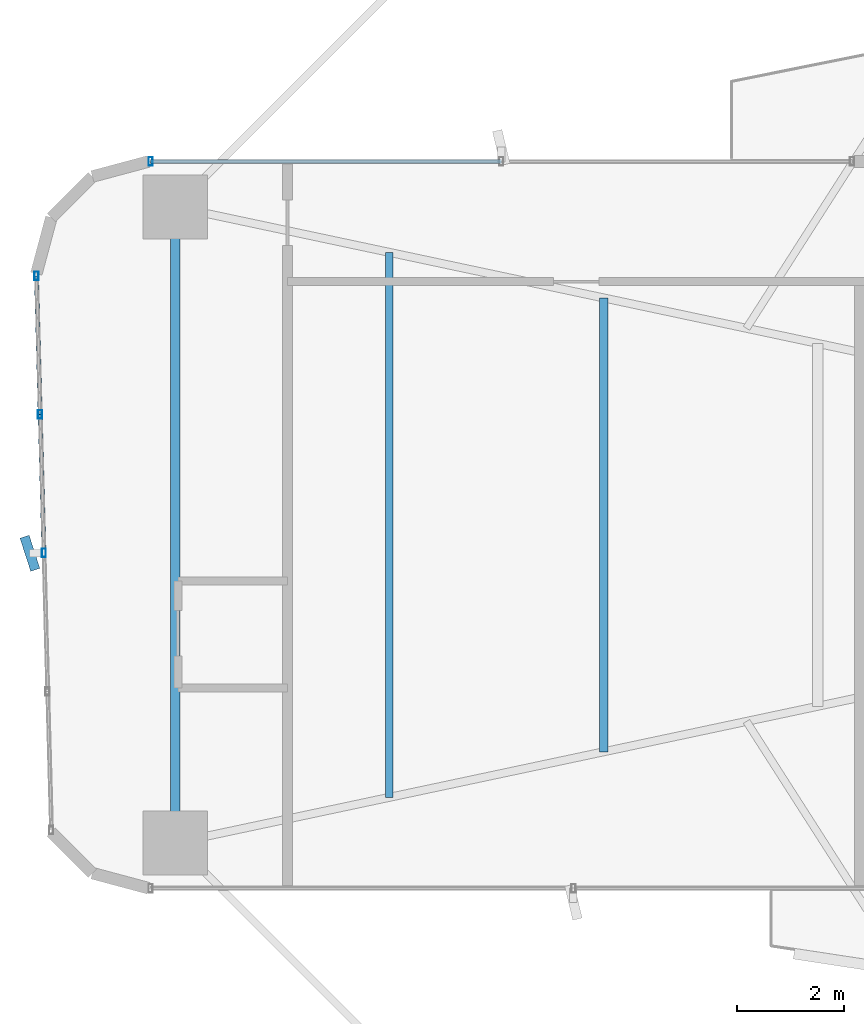
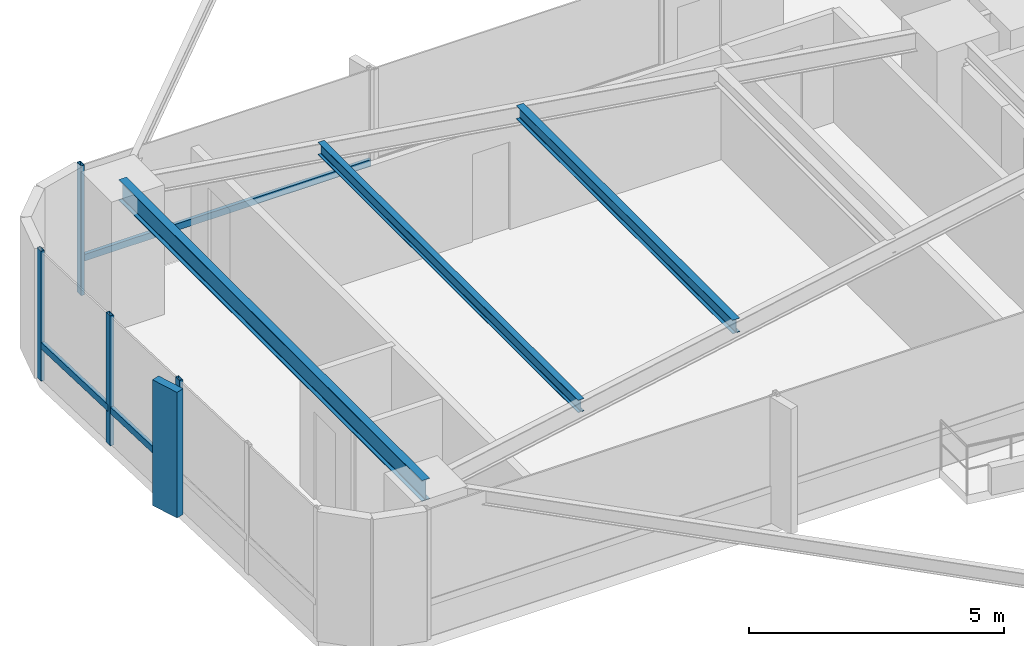
# One storey, part 8 of 25: 8 members, 3 beams, 2 elements without a shape of their own.
"""IFC4 building model written with IfcOpenShell, lengths in metres."""

import ifcopenshell
import ifcopenshell.guid

model = None  # the IFC model being written
_history = None  # IfcOwnerHistory: only IFC2X3 demands one
_inside = {}  # id of a spatial element -> (the spatial element, [elements in it])
_under = {}  # id of a project, library or spatial element -> (it, [spatial elements below it])
_declared = {}  # id of a project -> (the project, [libraries it declares])
_typed = {}  # id of a type object -> (the type object, [elements of that type])
_made_of = {}  # id of a material, layer set ... -> (it, [elements and type objects made of it])


def new_model(schema):
    """Start an empty IFC model of exactly this schema.

    Asked for "IFC4X3", IfcOpenShell would pick the latest addendum, in which some entities
    have other attributes; the version numbers below select the first issue.
    IFC2X3 requires an IfcOwnerHistory on every rooted entity: one is made here for all.
    """
    global model, _history
    if schema == "IFC4X3":
        model = ifcopenshell.file(schema_version=(4, 3, 0, 0))
    else:
        model = ifcopenshell.file(schema=schema)
    _inside.clear()
    _under.clear()
    _declared.clear()
    _typed.clear()
    _made_of.clear()
    _history = None
    if model.schema == "IFC2X3":
        org = make("IfcOrganization", Name="unknown")
        user = make(
            "IfcPersonAndOrganization",
            ThePerson=make("IfcPerson", FamilyName="unknown"),
            TheOrganization=org,
        )
        app = make(
            "IfcApplication",
            ApplicationDeveloper=org,
            Version="unknown",
            ApplicationFullName="unknown",
            ApplicationIdentifier="unknown",
        )
        _history = make(
            "IfcOwnerHistory",
            OwningUser=user,
            OwningApplication=app,
            ChangeAction="ADDED",
            CreationDate=0,
        )
    return model


def make(cls, **values):
    """One entity of the class cls with the attributes given. An attribute that is None is left unset."""
    return model.create_entity(
        cls, **{name: value for name, value in values.items() if value is not None}
    )


def rooted(cls, **values):
    """An entity with a GlobalId (a new one), such as an element, a storey or a relation."""
    return make(cls, GlobalId=ifcopenshell.guid.new(), OwnerHistory=_history, **values)


def si_unit(unit_type, name, prefix=None):
    """IfcSIUnit, for example si_unit("LENGTHUNIT", "METRE", prefix="MILLI")."""
    return make("IfcSIUnit", UnitType=unit_type, Prefix=prefix, Name=name)


def assignment(units):
    """IfcUnitAssignment: the units of a project."""
    return None if units is None else make("IfcUnitAssignment", Units=units)


def point(xyz):
    """IfcCartesianPoint."""
    return None if xyz is None else make("IfcCartesianPoint", Coordinates=xyz)


def direction(xyz):
    """IfcDirection."""
    return None if xyz is None else make("IfcDirection", DirectionRatios=xyz)


def frame(location, z_axis=None, x_axis=None):
    """IfcAxis2Placement3D, a coordinate frame: its origin and axes. An axis left out is left unset."""
    return make(
        "IfcAxis2Placement3D",
        Location=point(location),
        Axis=direction(z_axis),
        RefDirection=direction(x_axis),
    )


def frame_2d(location, x_axis=None):
    """IfcAxis2Placement2D, a coordinate frame in the plane: its origin and x axis."""
    return make(
        "IfcAxis2Placement2D", Location=point(location), RefDirection=direction(x_axis)
    )


def origin():
    """The frame at (0, 0, 0) with its axes left unset."""
    return frame((0.0, 0.0, 0.0))


def origin_2d():
    """The frame at (0, 0) in the plane with its x axis left unset."""
    return frame_2d((0.0, 0.0))


def place(relative_to, where):
    """IfcLocalPlacement: puts the frame where relative to a parent placement (None: the world)."""
    return make(
        "IfcLocalPlacement", PlacementRelTo=relative_to, RelativePlacement=where
    )


def context(
    kind, dimensions, precision=None, world=None, true_north=None, identifier=None
):
    """IfcGeometricRepresentationContext, for example the 3D "Model" context."""
    return make(
        "IfcGeometricRepresentationContext",
        ContextIdentifier=identifier,
        ContextType=kind,
        CoordinateSpaceDimension=dimensions,
        Precision=precision,
        WorldCoordinateSystem=world,
        TrueNorth=true_north,
    )


def subcontext(parent, identifier, kind, view, scale=None):
    """IfcGeometricRepresentationSubContext, for example "Body" below "Model"."""
    return make(
        "IfcGeometricRepresentationSubContext",
        ContextIdentifier=identifier,
        ContextType=kind,
        ParentContext=parent,
        TargetScale=scale,
        TargetView=view,
    )


def project(units=None, contexts=None):
    """IfcProject with its units and contexts."""
    return rooted(
        "IfcProject",
        Name="project",
        RepresentationContexts=contexts,
        UnitsInContext=assignment(units),
    )


def spatial(cls, under=None, at=None, **own):
    """A site, building, storey or space (cls), placed at a placement, below another one or the project."""
    s = rooted(cls, ObjectPlacement=at, **own)
    if under is not None:
        _under.setdefault(under.id(), (under, []))[1].append(s)
    return s


def profile(cls, at=None, kind="AREA", **sizes):
    """A parametric profile (cls). Its sizes go by their IFC names, for example OverallWidth=200.0."""
    return make(cls, ProfileType=kind, Position=at, **sizes)


def rectangle(**sizes):
    """IfcRectangleProfileDef."""
    return profile("IfcRectangleProfileDef", **sizes)


def hollow_rectangle(**sizes):
    """IfcRectangleHollowProfileDef."""
    return profile("IfcRectangleHollowProfileDef", **sizes)


def i_section(**sizes):
    """IfcIShapeProfileDef."""
    return profile("IfcIShapeProfileDef", **sizes)


def extrude(swept, where, along, depth):
    """IfcExtrudedAreaSolid: the profile swept, set in the frame where, extruded along a direction by depth."""
    return make(
        "IfcExtrudedAreaSolid",
        SweptArea=swept,
        Position=where,
        ExtrudedDirection=direction(along),
        Depth=depth,
    )


def shape(context_of_items, identifier, shape_type, items):
    """IfcShapeRepresentation: the items that make up one representation, for example the "Body"."""
    return make(
        "IfcShapeRepresentation",
        ContextOfItems=context_of_items,
        RepresentationIdentifier=identifier,
        RepresentationType=shape_type,
        Items=items,
    )


def source(mapping_origin, context_of_items, identifier, shape_type, items):
    """IfcRepresentationMap: a shape defined once, which mapped items show again and again."""
    return make(
        "IfcRepresentationMap",
        MappingOrigin=mapping_origin,
        MappedRepresentation=shape(context_of_items, identifier, shape_type, items),
    )


def transform(
    local_origin,
    x_axis=None,
    y_axis=None,
    z_axis=None,
    scale=None,
    scale2=None,
    scale3=None,
    uniform=True,
):
    """IfcCartesianTransformationOperator3D, or its non-uniform kind. x_axis, y_axis, z_axis: its Axis1, 2, 3."""
    if uniform:
        return make(
            "IfcCartesianTransformationOperator3D",
            Axis1=direction(x_axis),
            Axis2=direction(y_axis),
            LocalOrigin=point(local_origin),
            Scale=scale,
            Axis3=direction(z_axis),
        )
    return make(
        "IfcCartesianTransformationOperator3DnonUniform",
        Axis1=direction(x_axis),
        Axis2=direction(y_axis),
        LocalOrigin=point(local_origin),
        Scale=scale,
        Axis3=direction(z_axis),
        Scale2=scale2,
        Scale3=scale3,
    )


def mapped(mapping_source, mapping_target):
    """IfcMappedItem: shows the shape of a source again, moved by a transform."""
    return make(
        "IfcMappedItem", MappingSource=mapping_source, MappingTarget=mapping_target
    )


def material(Name=None, Category=None):
    """IfcMaterial."""
    return make("IfcMaterial", Name=Name, Category=Category)


def material_profile(
    of_material, cross_section, Name=None, Category=None, Priority=None
):
    """IfcMaterialProfile: a cross section and its material."""
    return make(
        "IfcMaterialProfile",
        Name=Name,
        Material=of_material,
        Profile=cross_section,
        Priority=Priority,
        Category=Category,
    )


def profile_set(profiles, Name=None, composite=None):
    """IfcMaterialProfileSet."""
    return make(
        "IfcMaterialProfileSet",
        Name=Name,
        MaterialProfiles=profiles,
        CompositeProfile=composite,
    )


def made_of(thing, what):
    """Note that an element or type object is made of a material, layer set ...; save() writes the relation."""
    if what is not None:
        _made_of.setdefault(what.id(), (what, []))[1].append(thing)
    return thing


def type_object(cls, material=None, **own):
    """A type object (cls), such as IfcWallType, which elements share."""
    return made_of(rooted(cls, **own), material)


def element(
    cls,
    number,
    at=None,
    inside=None,
    cuts=None,
    type_object=None,
    material=None,
    context=None,
    identifier="Body",
    shape_type=None,
    held_by="IfcProductDefinitionShape",
    body=None,
    shapes=None,
    **own,
):
    """One element of the class cls, such as IfcWall. Its Tag is "e" and its number.

    at: its placement. inside: the storey or other place that contains it. cuts: it is an
    opening in that element (IfcRelVoidsElement). A single representation is given by context,
    identifier, shape_type and body (its items); several are given by shapes. held_by: the class
    of the entity that holds the representations. save() writes the other relations.
    """
    e = rooted(cls, Tag="e%d" % number, ObjectPlacement=at, **own)
    if body is not None:
        shapes = [shape(context, identifier, shape_type, body)]
    if shapes is not None:
        e.Representation = make(held_by, Representations=shapes)
    if inside is not None:
        _inside.setdefault(inside.id(), (inside, []))[1].append(e)
    if cuts is not None:
        rooted(
            "IfcRelVoidsElement", RelatingBuildingElement=cuts, RelatedOpeningElement=e
        )
    if type_object is not None:
        _typed.setdefault(type_object.id(), (type_object, []))[1].append(e)
    return made_of(e, material)


def aggregate(whole, parts):
    """IfcRelAggregates: a whole, such as a stair, and the parts it consists of."""
    return rooted("IfcRelAggregates", RelatingObject=whole, RelatedObjects=parts)


def save(model, path):
    """Write the relations noted so far, then the file.

    IfcRelAggregates (storeys below a building ...), IfcRelContainedInSpatialStructure (elements
    in a storey), IfcRelDefinesByType, IfcRelAssociatesMaterial and IfcRelDeclares: one each for
    every whole, place, type object, material and project.
    """
    for whole, parts in _under.values():
        aggregate(whole, parts)
    for where, things in _inside.values():
        rooted(
            "IfcRelContainedInSpatialStructure",
            RelatedElements=things,
            RelatingStructure=where,
        )
    for kind, things in _typed.values():
        rooted("IfcRelDefinesByType", RelatedObjects=things, RelatingType=kind)
    for what, things in _made_of.values():
        rooted("IfcRelAssociatesMaterial", RelatedObjects=things, RelatingMaterial=what)
    for by, libraries in _declared.values():
        rooted("IfcRelDeclares", RelatingContext=by, RelatedDefinitions=libraries)
    model.write(path)


model = new_model("IFC4")

# Units and contexts
model_context = context("Model", 3, precision=1e-05, world=origin(), true_north=direction((0.0, 1.0)))
body_context = subcontext(model_context, "Body", "Model", "MODEL_VIEW")
ifc_project = project(units=[si_unit("LENGTHUNIT", "METRE"), si_unit("AREAUNIT", "SQUARE_METRE"), si_unit("VOLUMEUNIT", "CUBIC_METRE"), si_unit("PLANEANGLEUNIT", "RADIAN"), si_unit("MASSUNIT", "GRAM", prefix="KILO")], contexts=[model_context])

# Site, building, storey
site_placement = place(None, origin())
site = spatial("IfcSite", under=ifc_project, at=site_placement, CompositionType="ELEMENT")
building_placement = place(site_placement, origin())
building = spatial("IfcBuilding", under=site, at=building_placement, Name="Sahyath Konkavel Grand Hotel", CompositionType="ELEMENT")
storey_placement = place(building_placement, frame((0.0, 0.0, 36.5)))
storey = spatial("IfcBuildingStorey", under=building, at=storey_placement, Name="L09", CompositionType="ELEMENT", Elevation=36.5)

# Beams
ifc_material_1 = material(Name="Steel E350", Category="steel")
ifc_material_profile_1 = material_profile(ifc_material_1, i_section(OverallWidth=0.179931640625, OverallDepth=0.5, WebThickness=0.01025390625, FlangeThickness=0.01708984375, FilletRadius=0.01708984375, at=origin_2d()), Name="ISMB 500")
ifc_profile_set_1 = profile_set([ifc_material_profile_1], Name="Steel E350")
beam_type_1 = type_object("IfcBeamType", Name="BM-ISMB500", PredefinedType="BEAM", material=ifc_profile_set_1)
shared_shape_1 = source(origin(), body_context, "Body", "SweptSolid", [
    extrude(i_section(OverallWidth=0.179931640625, OverallDepth=0.5, WebThickness=0.01025390625, FlangeThickness=0.01708984375, FilletRadius=0.01708984375, at=origin_2d()), origin(), (0.0, 0.0, 1.0), 11.89990234375),
])
beam_1_placement = place(storey_placement, frame((-22.199951171875, 5.949951171875, 2.860107421875), z_axis=(0.0, -1.0, 0.0), x_axis=(1.0, 0.0, 0.0)))
element("IfcBeam", 1, at=beam_1_placement, inside=storey, type_object=beam_type_1, Name="L09 Wing Tip Edge Beam W", PredefinedType="BEAM", context=body_context, shape_type="MappedRepresentation", body=[
    mapped(shared_shape_1, transform((0.0, 0.0, 0.0), scale=1.0)),
])
ifc_material_profile_2 = material_profile(ifc_material_1, i_section(OverallWidth=0.1650390625, OverallDepth=0.324951171875, WebThickness=0.007080078125, FlangeThickness=0.009765625, FilletRadius=0.014892578125, at=origin_2d()), Name="ISLB 325")
ifc_profile_set_2 = profile_set([ifc_material_profile_2], Name="Steel E350")
beam_type_2 = type_object("IfcBeamType", Name="BM-ISLB325", PredefinedType="BEAM", material=ifc_profile_set_2)
shared_shape_2 = source(origin(), body_context, "Body", "SweptSolid", [
    extrude(i_section(OverallWidth=0.1650390625, OverallDepth=0.324951171875, WebThickness=0.007080078125, FlangeThickness=0.009765625, FilletRadius=0.014892578125, at=origin_2d()), origin(), (0.0, 0.0, 1.0), 8.4921875),
])
beam_2_placement = place(storey_placement, frame((-14.18408203125, 4.24609375, 2.947509765625), z_axis=(0.0, -1.0, 0.0), x_axis=(1.0, 0.0, 0.0)))
element("IfcBeam", 2, at=beam_2_placement, inside=storey, type_object=beam_type_2, Name="L09 Secondary Floor Beam W-2", PredefinedType="BEAM", context=body_context, shape_type="MappedRepresentation", body=[
    mapped(shared_shape_2, transform((0.0, 0.0, 0.0), scale=1.0)),
])
ifc_material_profile_3 = material_profile(ifc_material_1, i_section(OverallWidth=0.139892578125, OverallDepth=0.300048828125, WebThickness=0.0078125, FlangeThickness=0.01318359375, FilletRadius=0.013916015625, at=origin_2d()), Name="ISMB 300")
ifc_profile_set_3 = profile_set([ifc_material_profile_3], Name="Steel E350")
beam_type_3 = type_object("IfcBeamType", Name="BM-ISMB300", PredefinedType="BEAM", material=ifc_profile_set_3)
shared_shape_3 = source(origin(), body_context, "Body", "SweptSolid", [
    extrude(i_section(OverallWidth=0.139892578125, OverallDepth=0.300048828125, WebThickness=0.0078125, FlangeThickness=0.01318359375, FilletRadius=0.013916015625, at=origin_2d()), origin(), (0.0, 0.0, 1.0), 10.19580078125),
])
beam_3_placement = place(storey_placement, frame((-18.19189453125, 5.097900390625, 2.9599609375), z_axis=(0.0, -1.0, 0.0), x_axis=(1.0, 0.0, 0.0)))
element("IfcBeam", 3, at=beam_3_placement, inside=storey, type_object=beam_type_3, Name="L09 Secondary Floor Beam W-3", PredefinedType="BEAM", context=body_context, shape_type="MappedRepresentation", body=[
    mapped(shared_shape_3, transform((0.0, 0.0, 0.0), scale=1.0)),
])

# Curtain wall, members
ifc_material_2 = material(Name="Anodised Bronze Aluminium & Low-E Glazing", Category="aluminium")
curtain_wall_type = type_object("IfcCurtainWallType", Name="CW-ZONE1", PredefinedType="NOTDEFINED", material=ifc_material_2)
curtain_wall_1_placement = place(storey_placement, origin())
curtain_wall_1 = element("IfcCurtainWall", 4, at=curtain_wall_1_placement, inside=storey, type_object=curtain_wall_type, Name="L09 Unitised Curtain Wall F20", PredefinedType="NOTDEFINED")
ifc_material_3 = material(Name="Warm Buff Sandstone Cladding on Concrete C50/60", Category="masonry")
ifc_material_profile_4 = material_profile(ifc_material_3, rectangle(XDim=0.179931640625, YDim=0.64990234375, at=origin_2d()), Name="FIN 180x650")
ifc_profile_set_4 = profile_set([ifc_material_profile_4], Name="Warm Buff Sandstone Cladding on Concrete C50/60")
member_type_1 = type_object("IfcMemberType", Name="FIN-SANDSTONE-650", PredefinedType="MULLION", material=ifc_profile_set_4)
shared_shape_4 = source(origin(), body_context, "Body", "SweptSolid", [
    extrude(rectangle(XDim=0.179931640625, YDim=0.64990234375, at=origin_2d()), origin(), (0.0, 0.0, 1.0), 3.010009765625),
])
member_1_placement = place(storey_placement, frame((-24.919189453125, -0.531982421875, 0.050048828125), z_axis=(0.0, 0.0, 1.0), x_axis=(0.951272019071, 0.30835295642, 0.0)))
member_1 = element("IfcMember", 5, at=member_1_placement, type_object=member_type_1, Name="L09 Sandstone Vertical Solar Fin FIN F20-2", PredefinedType="MULLION", context=body_context, shape_type="MappedRepresentation", body=[
    mapped(shared_shape_4, transform((0.0, 0.0, 0.0), scale=1.0)),
])
ifc_material_4 = material(Name="Anodised Bronze Aluminium", Category="aluminium")
ifc_material_profile_5 = material_profile(ifc_material_4, hollow_rectangle(XDim=0.080078125, YDim=0.159912109375, WallThickness=0.006103515625, at=origin_2d()), Name="RHS 160x80x6")
ifc_profile_set_5 = profile_set([ifc_material_profile_5], Name="Anodised Bronze Aluminium")
member_type_2 = type_object("IfcMemberType", Name="CW-TRN-160", PredefinedType="USERDEFINED", material=ifc_profile_set_5)
shared_shape_5 = source(origin(), body_context, "Body", "SweptSolid", [
    extrude(hollow_rectangle(XDim=0.080078125, YDim=0.159912109375, WallThickness=0.006103515625, at=origin_2d()), origin(), (0.0, 0.0, 1.0), 2.593505859375),
])
member_2_placement = place(storey_placement, frame((-24.798828125, 4.659912109375, 0.85009765625), z_axis=(0.026923093252, -0.999637507825, 0.0), x_axis=(0.999637507825, 0.026923093252, 0.0)))
member_2 = element("IfcMember", 6, at=member_2_placement, type_object=member_type_2, Name="L09 Curtain Wall Transom F20-0-spandrel", ObjectType="TRANSOM", PredefinedType="USERDEFINED", context=body_context, shape_type="MappedRepresentation", body=[
    mapped(shared_shape_5, transform((0.0, 0.0, 0.0), scale=1.0)),
])
shared_shape_6 = source(origin(), body_context, "Body", "SweptSolid", [
    extrude(hollow_rectangle(XDim=0.080078125, YDim=0.159912109375, WallThickness=0.006103515625, at=origin_2d()), origin(), (0.0, 0.0, 1.0), 2.59326171875),
])
member_3_placement = place(storey_placement, frame((-24.72900390625, 2.0673828125, 0.85009765625), z_axis=(0.026925627022, -0.99963743958, 0.0), x_axis=(0.99963743958, 0.026925627022, 0.0)))
member_3 = element("IfcMember", 7, at=member_3_placement, type_object=member_type_2, Name="L09 Curtain Wall Transom F20-1-spandrel", ObjectType="TRANSOM", PredefinedType="USERDEFINED", context=body_context, shape_type="MappedRepresentation", body=[
    mapped(shared_shape_6, transform((0.0, 0.0, 0.0), scale=1.0)),
])

# Curtain wall, member
curtain_wall_2_placement = place(storey_placement, origin())
curtain_wall_2 = element("IfcCurtainWall", 8, at=curtain_wall_2_placement, inside=storey, type_object=curtain_wall_type, Name="L09 Unitised Curtain Wall F16", PredefinedType="NOTDEFINED")
ifc_material_profile_6 = material_profile(ifc_material_4, hollow_rectangle(XDim=0.080078125, YDim=0.159912109375, WallThickness=0.006103515625, at=origin_2d()), Name="RHS 160x80x6")
ifc_profile_set_6 = profile_set([ifc_material_profile_6], Name="Anodised Bronze Aluminium")
member_type_3 = type_object("IfcMemberType", Name="CW-MUL-160", PredefinedType="MULLION", material=ifc_profile_set_6)
shared_shape_7 = source(origin(), body_context, "Body", "SweptSolid", [
    extrude(hollow_rectangle(XDim=0.080078125, YDim=0.159912109375, WallThickness=0.006103515625, at=origin_2d()), origin(), (0.0, 0.0, 1.0), 3.110107421875),
])
member_4_placement = place(storey_placement, frame((-22.659912109375, 6.800048828125, 0.0), z_axis=(0.0, 0.0, 1.0), x_axis=(1.0, 0.0, 0.0)))
member_4 = element("IfcMember", 9, at=member_4_placement, type_object=member_type_3, Name="L09 Curtain Wall Mullion F16-2", PredefinedType="MULLION", context=body_context, shape_type="MappedRepresentation", body=[
    mapped(shared_shape_7, transform((0.0, 0.0, 0.0), scale=1.0)),
])

# Member
member_5_placement = place(storey_placement, frame((-24.798828125, 4.659912109375, 0.0), z_axis=(0.0, 0.0, 1.0), x_axis=(1.0, 0.0, 0.0)))
member_5 = element("IfcMember", 10, at=member_5_placement, type_object=member_type_3, Name="L09 Curtain Wall Mullion F20-0", PredefinedType="MULLION", context=body_context, shape_type="MappedRepresentation", body=[
    mapped(shared_shape_7, transform((0.0, 0.0, 0.0), scale=1.0)),
])

member_6_placement = place(storey_placement, frame((-24.72900390625, 2.0673828125, 0.0), z_axis=(0.0, 0.0, 1.0), x_axis=(1.0, 0.0, 0.0)))
member_6 = element("IfcMember", 11, at=member_6_placement, type_object=member_type_3, Name="L09 Curtain Wall Mullion F20-1", PredefinedType="MULLION", context=body_context, shape_type="MappedRepresentation", body=[
    mapped(shared_shape_7, transform((0.0, 0.0, 0.0), scale=1.0)),
])

member_7_placement = place(storey_placement, frame((-24.6591796875, -0.52490234375, 0.0), z_axis=(0.0, 0.0, 1.0), x_axis=(1.0, 0.0, 0.0)))
member_7 = element("IfcMember", 12, at=member_7_placement, type_object=member_type_3, Name="L09 Curtain Wall Mullion F20-2", PredefinedType="MULLION", context=body_context, shape_type="MappedRepresentation", body=[
    mapped(shared_shape_7, transform((0.0, 0.0, 0.0), scale=1.0)),
])

aggregate(curtain_wall_1, [member_5, member_6, member_7, member_1, member_2, member_3])

shared_shape_8 = source(origin(), body_context, "Body", "SweptSolid", [
    extrude(hollow_rectangle(XDim=0.080078125, YDim=0.159912109375, WallThickness=0.006103515625, at=origin_2d()), origin(), (0.0, 0.0, 1.0), 6.559814453125),
])
member_8_placement = place(storey_placement, frame((-16.10009765625, 6.800048828125, 0.85009765625), z_axis=(-1.0, 0.0, 0.0), x_axis=(0.0, -1.0, 0.0)))
member_8 = element("IfcMember", 13, at=member_8_placement, type_object=member_type_2, Name="L09 Curtain Wall Transom F16-1-spandrel", ObjectType="TRANSOM", PredefinedType="USERDEFINED", context=body_context, shape_type="MappedRepresentation", body=[
    mapped(shared_shape_8, transform((0.0, 0.0, 0.0), scale=1.0)),
])

aggregate(curtain_wall_2, [member_4, member_8])

save(model, "model.ifc")
